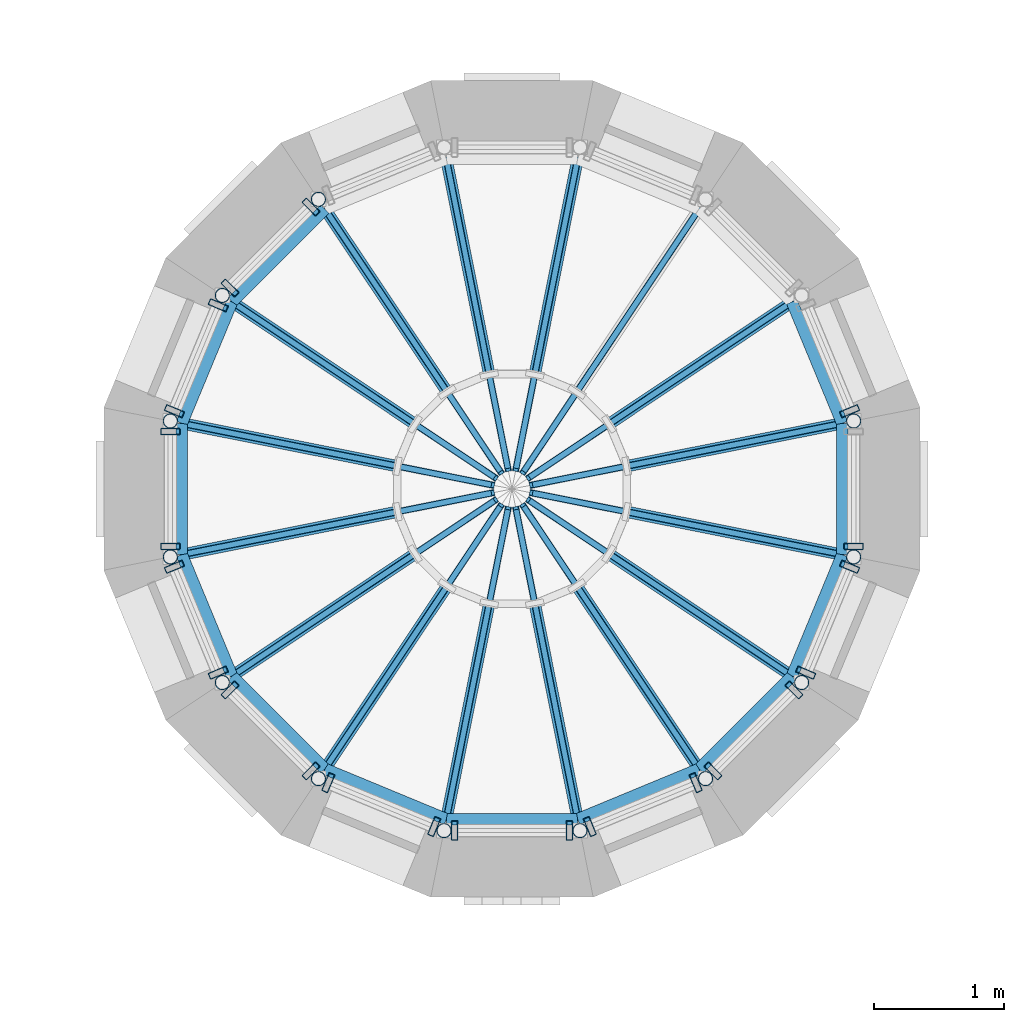
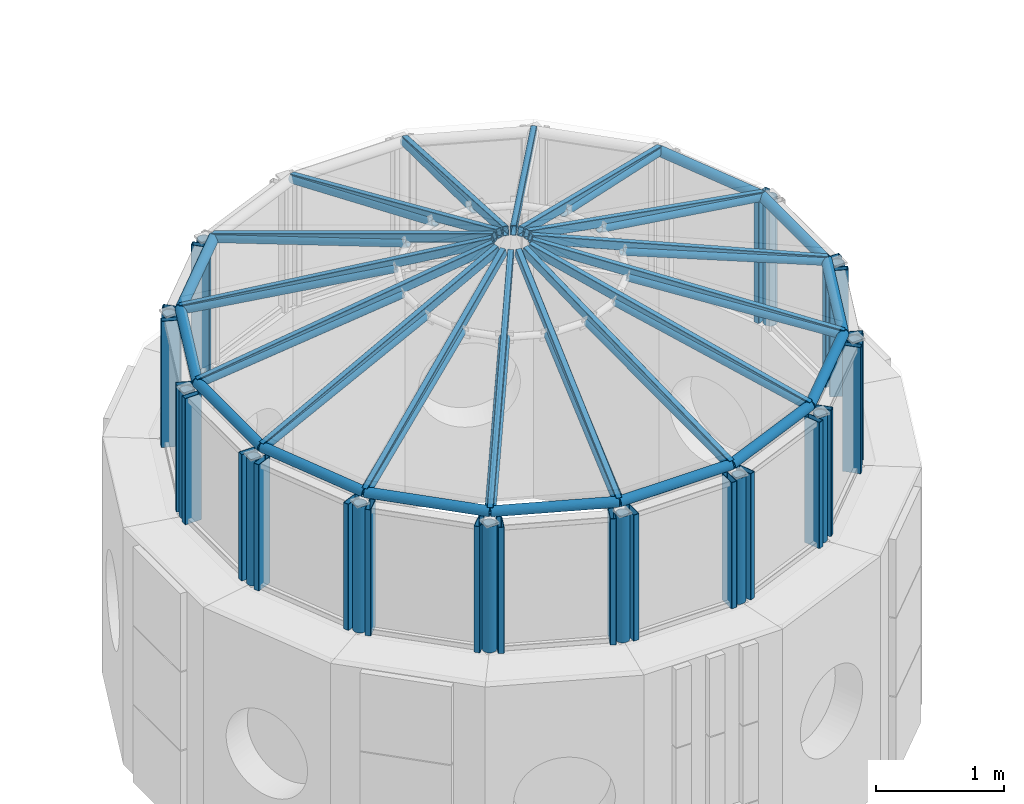
# One storey, part 4 of 42: 77 members, 12 elements without a shape of their own.
"""IFC4 building model written with IfcOpenShell, lengths in metres."""

from ifc_helpers import new_model, si_unit, direction, frame, origin, origin_2d, place, context, subcontext, project, spatial, hollow_rectangle, hollow_circle, extrude, material, material_profile, profile_set, type_object, element, aggregate, save


model = new_model("IFC4")

# Units and contexts
model_context = context("Model", 3, precision=1e-05, world=origin(), true_north=direction((0.0, 1.0)))
body_context = subcontext(model_context, "Body", "Model", "MODEL_VIEW")
ifc_project = project(units=[si_unit("LENGTHUNIT", "METRE"), si_unit("AREAUNIT", "SQUARE_METRE"), si_unit("VOLUMEUNIT", "CUBIC_METRE"), si_unit("PLANEANGLEUNIT", "RADIAN"), si_unit("MASSUNIT", "GRAM", prefix="KILO")], contexts=[model_context])

# Site, building, storey
site_placement = place(None, origin())
site = spatial("IfcSite", under=ifc_project, at=site_placement, CompositionType="ELEMENT")
building_placement = place(site_placement, origin())
building = spatial("IfcBuilding", under=site, at=building_placement, Name="Sun Court Science Centre", CompositionType="ELEMENT")
storey_placement = place(building_placement, frame((0.0, 0.0, 20.25)))
storey = spatial("IfcBuildingStorey", under=building, at=storey_placement, Name="L04", CompositionType="ELEMENT", Elevation=20.25)

# Curtain wall, member
ifc_material_1 = material(Name="Aluminium EN AW-6063 T6", Category="aluminium")
curtain_wall_type = type_object("IfcCurtainWallType", Name="Lantern clerestory curtain wall 1500", PredefinedType="NOTDEFINED", material=ifc_material_1)
curtain_wall_1_placement = place(storey_placement, origin())
curtain_wall_1 = element("IfcCurtainWall", 1, at=curtain_wall_1_placement, inside=storey, type_object=curtain_wall_type, Name="Curtain wall V2 C5 clerestory L04 01", PredefinedType="NOTDEFINED")
ifc_material_2 = material(Name="Aluminium EN AW-6063 T6", Category="aluminium")
ifc_material_profile_1 = material_profile(ifc_material_2, hollow_rectangle(XDim=0.050048828125, YDim=0.14990234375, WallThickness=0.00390625, InnerFilletRadius=0.00390625, OuterFilletRadius=0.006103515625, at=origin_2d()), Name="AL 50x150x4")
ifc_profile_set_1 = profile_set([ifc_material_profile_1], Name="Aluminium EN AW-6063 T6")
member_type_1 = type_object("IfcMemberType", Name="Curtain wall mullion AL 50x150", PredefinedType="MULLION", material=ifc_profile_set_1)
member_1_placement = place(storey_placement, frame((56.595458984375, 12.098388671875, 1.949951171875), z_axis=(0.0, 0.0, 1.0), x_axis=(0.382683432365, -0.923879532511, 0.0)))
member_1 = element("IfcMember", 2, at=member_1_placement, type_object=member_type_1, Name="CW4-65 mullion 2", PredefinedType="MULLION", context=body_context, shape_type="SweptSolid", body=[
    extrude(hollow_rectangle(XDim=0.050048828125, YDim=0.14990234375, WallThickness=0.00390625, InnerFilletRadius=0.00390625, OuterFilletRadius=0.006103515625, at=origin_2d()), origin(), (0.0, 0.0, 1.0), 1.199951171875),
])
aggregate(curtain_wall_1, [member_1])

# Curtain wall, members
curtain_wall_2_placement = place(storey_placement, origin())
curtain_wall_2 = element("IfcCurtainWall", 3, at=curtain_wall_2_placement, inside=storey, type_object=curtain_wall_type, Name="Curtain wall V2 C5 clerestory L04 06", PredefinedType="NOTDEFINED")
member_2_placement = place(storey_placement, frame((51.831298828125, 13.046142578125, 1.949951171875), z_axis=(0.0, 0.0, 1.0), x_axis=(0.707106781187, 0.707106781187, 0.0)))
member_2 = element("IfcMember", 4, at=member_2_placement, type_object=member_type_1, Name="CW4-70 mullion 1", PredefinedType="MULLION", context=body_context, shape_type="SweptSolid", body=[
    extrude(hollow_rectangle(XDim=0.050048828125, YDim=0.14990234375, WallThickness=0.00390625, InnerFilletRadius=0.00390625, OuterFilletRadius=0.006103515625, at=origin_2d()), origin(), (0.0, 0.0, 1.0), 1.199951171875),
])
member_3_placement = place(storey_placement, frame((52.453857421875, 13.668701171875, 1.949951171875), z_axis=(0.0, 0.0, 1.0), x_axis=(0.707106781187, 0.707106781187, 0.0)))
member_3 = element("IfcMember", 5, at=member_3_placement, type_object=member_type_1, Name="CW4-70 mullion 2", PredefinedType="MULLION", context=body_context, shape_type="SweptSolid", body=[
    extrude(hollow_rectangle(XDim=0.050048828125, YDim=0.14990234375, WallThickness=0.00390625, InnerFilletRadius=0.00390625, OuterFilletRadius=0.006103515625, at=origin_2d()), origin(), (0.0, 0.0, 1.0), 1.199951171875),
])
aggregate(curtain_wall_2, [member_2, member_3])

curtain_wall_3_placement = place(storey_placement, origin())
curtain_wall_3 = element("IfcCurtainWall", 6, at=curtain_wall_3_placement, inside=storey, type_object=curtain_wall_type, Name="Curtain wall V2 C5 clerestory L04 07", PredefinedType="NOTDEFINED")
member_4_placement = place(storey_placement, frame((51.404541015625, 12.098388671875, 1.949951171875), z_axis=(0.0, 0.0, 1.0), x_axis=(0.382683432365, 0.923879532511, 0.0)))
member_4 = element("IfcMember", 7, at=member_4_placement, type_object=member_type_1, Name="CW4-71 mullion 1", PredefinedType="MULLION", context=body_context, shape_type="SweptSolid", body=[
    extrude(hollow_rectangle(XDim=0.050048828125, YDim=0.14990234375, WallThickness=0.00390625, InnerFilletRadius=0.00390625, OuterFilletRadius=0.006103515625, at=origin_2d()), origin(), (0.0, 0.0, 1.0), 1.199951171875),
])
member_5_placement = place(storey_placement, frame((51.74169921875, 12.912109375, 1.949951171875), z_axis=(0.0, 0.0, 1.0), x_axis=(0.382683432365, 0.923879532511, 0.0)))
member_5 = element("IfcMember", 8, at=member_5_placement, type_object=member_type_1, Name="CW4-71 mullion 2", PredefinedType="MULLION", context=body_context, shape_type="SweptSolid", body=[
    extrude(hollow_rectangle(XDim=0.050048828125, YDim=0.14990234375, WallThickness=0.00390625, InnerFilletRadius=0.00390625, OuterFilletRadius=0.006103515625, at=origin_2d()), origin(), (0.0, 0.0, 1.0), 1.199951171875),
])
aggregate(curtain_wall_3, [member_4, member_5])

curtain_wall_4_placement = place(storey_placement, origin())
curtain_wall_4 = element("IfcCurtainWall", 9, at=curtain_wall_4_placement, inside=storey, type_object=curtain_wall_type, Name="Curtain wall V2 C5 clerestory L04 08", PredefinedType="NOTDEFINED")
member_6_placement = place(storey_placement, frame((51.373291015625, 11.0595703125, 1.949951171875), z_axis=(0.0, 0.0, 1.0), x_axis=(0.0, 1.0, 0.0)))
member_6 = element("IfcMember", 10, at=member_6_placement, type_object=member_type_1, Name="CW4-72 mullion 1", PredefinedType="MULLION", context=body_context, shape_type="SweptSolid", body=[
    extrude(hollow_rectangle(XDim=0.050048828125, YDim=0.14990234375, WallThickness=0.00390625, InnerFilletRadius=0.00390625, OuterFilletRadius=0.006103515625, at=origin_2d()), origin(), (0.0, 0.0, 1.0), 1.199951171875),
])
member_7_placement = place(storey_placement, frame((51.373291015625, 11.9404296875, 1.949951171875), z_axis=(0.0, 0.0, 1.0), x_axis=(0.0, 1.0, 0.0)))
member_7 = element("IfcMember", 11, at=member_7_placement, type_object=member_type_1, Name="CW4-72 mullion 2", PredefinedType="MULLION", context=body_context, shape_type="SweptSolid", body=[
    extrude(hollow_rectangle(XDim=0.050048828125, YDim=0.14990234375, WallThickness=0.00390625, InnerFilletRadius=0.00390625, OuterFilletRadius=0.006103515625, at=origin_2d()), origin(), (0.0, 0.0, 1.0), 1.199951171875),
])
aggregate(curtain_wall_4, [member_6, member_7])

curtain_wall_5_placement = place(storey_placement, origin())
curtain_wall_5 = element("IfcCurtainWall", 12, at=curtain_wall_5_placement, inside=storey, type_object=curtain_wall_type, Name="Curtain wall V2 C5 clerestory L04 09", PredefinedType="NOTDEFINED")
member_8_placement = place(storey_placement, frame((51.74169921875, 10.087890625, 1.949951171875), z_axis=(0.0, 0.0, 1.0), x_axis=(-0.382683432365, 0.923879532511, 0.0)))
member_8 = element("IfcMember", 13, at=member_8_placement, type_object=member_type_1, Name="CW4-73 mullion 1", PredefinedType="MULLION", context=body_context, shape_type="SweptSolid", body=[
    extrude(hollow_rectangle(XDim=0.050048828125, YDim=0.14990234375, WallThickness=0.00390625, InnerFilletRadius=0.00390625, OuterFilletRadius=0.006103515625, at=origin_2d()), origin(), (0.0, 0.0, 1.0), 1.199951171875),
])
member_9_placement = place(storey_placement, frame((51.404541015625, 10.901611328125, 1.949951171875), z_axis=(0.0, 0.0, 1.0), x_axis=(-0.382683432365, 0.923879532511, 0.0)))
member_9 = element("IfcMember", 14, at=member_9_placement, type_object=member_type_1, Name="CW4-73 mullion 2", PredefinedType="MULLION", context=body_context, shape_type="SweptSolid", body=[
    extrude(hollow_rectangle(XDim=0.050048828125, YDim=0.14990234375, WallThickness=0.00390625, InnerFilletRadius=0.00390625, OuterFilletRadius=0.006103515625, at=origin_2d()), origin(), (0.0, 0.0, 1.0), 1.199951171875),
])
aggregate(curtain_wall_5, [member_8, member_9])

curtain_wall_6_placement = place(storey_placement, origin())
curtain_wall_6 = element("IfcCurtainWall", 15, at=curtain_wall_6_placement, inside=storey, type_object=curtain_wall_type, Name="Curtain wall V2 C5 clerestory L04 10", PredefinedType="NOTDEFINED")
member_10_placement = place(storey_placement, frame((51.831298828125, 9.953857421875, 1.949951171875), z_axis=(0.0, 0.0, 1.0), x_axis=(-0.707106781187, 0.707106781187, 0.0)))
member_10 = element("IfcMember", 16, at=member_10_placement, type_object=member_type_1, Name="CW4-74 mullion 2", PredefinedType="MULLION", context=body_context, shape_type="SweptSolid", body=[
    extrude(hollow_rectangle(XDim=0.050048828125, YDim=0.14990234375, WallThickness=0.00390625, InnerFilletRadius=0.00390625, OuterFilletRadius=0.006103515625, at=origin_2d()), origin(), (0.0, 0.0, 1.0), 1.199951171875),
])
member_11_placement = place(storey_placement, frame((52.453857421875, 9.331298828125, 1.949951171875), z_axis=(0.0, 0.0, 1.0), x_axis=(-0.707106781187, 0.707106781187, 0.0)))
member_11 = element("IfcMember", 17, at=member_11_placement, type_object=member_type_1, Name="CW4-74 mullion 1", PredefinedType="MULLION", context=body_context, shape_type="SweptSolid", body=[
    extrude(hollow_rectangle(XDim=0.050048828125, YDim=0.14990234375, WallThickness=0.00390625, InnerFilletRadius=0.00390625, OuterFilletRadius=0.006103515625, at=origin_2d()), origin(), (0.0, 0.0, 1.0), 1.199951171875),
])
aggregate(curtain_wall_6, [member_10, member_11])

curtain_wall_7_placement = place(storey_placement, origin())
curtain_wall_7 = element("IfcCurtainWall", 18, at=curtain_wall_7_placement, inside=storey, type_object=curtain_wall_type, Name="Curtain wall V2 C5 clerestory L04 11", PredefinedType="NOTDEFINED")
member_12_placement = place(storey_placement, frame((52.587890625, 9.24169921875, 1.949951171875), z_axis=(0.0, 0.0, 1.0), x_axis=(-0.923879532511, 0.382683432365, 0.0)))
member_12 = element("IfcMember", 19, at=member_12_placement, type_object=member_type_1, Name="CW4-75 mullion 2", PredefinedType="MULLION", context=body_context, shape_type="SweptSolid", body=[
    extrude(hollow_rectangle(XDim=0.050048828125, YDim=0.14990234375, WallThickness=0.00390625, InnerFilletRadius=0.00390625, OuterFilletRadius=0.006103515625, at=origin_2d()), origin(), (0.0, 0.0, 1.0), 1.199951171875),
])
member_13_placement = place(storey_placement, frame((53.401611328125, 8.904541015625, 1.949951171875), z_axis=(0.0, 0.0, 1.0), x_axis=(-0.923879532511, 0.382683432365, 0.0)))
member_13 = element("IfcMember", 20, at=member_13_placement, type_object=member_type_1, Name="CW4-75 mullion 1", PredefinedType="MULLION", context=body_context, shape_type="SweptSolid", body=[
    extrude(hollow_rectangle(XDim=0.050048828125, YDim=0.14990234375, WallThickness=0.00390625, InnerFilletRadius=0.00390625, OuterFilletRadius=0.006103515625, at=origin_2d()), origin(), (0.0, 0.0, 1.0), 1.199951171875),
])
aggregate(curtain_wall_7, [member_12, member_13])

curtain_wall_8_placement = place(storey_placement, origin())
curtain_wall_8 = element("IfcCurtainWall", 21, at=curtain_wall_8_placement, inside=storey, type_object=curtain_wall_type, Name="Curtain wall V2 C5 clerestory L04 12", PredefinedType="NOTDEFINED")
member_14_placement = place(storey_placement, frame((53.5595703125, 8.873291015625, 1.949951171875), z_axis=(0.0, 0.0, 1.0), x_axis=(-1.0, 0.0, 0.0)))
member_14 = element("IfcMember", 22, at=member_14_placement, type_object=member_type_1, Name="CW4-76 mullion 2", PredefinedType="MULLION", context=body_context, shape_type="SweptSolid", body=[
    extrude(hollow_rectangle(XDim=0.050048828125, YDim=0.14990234375, WallThickness=0.00390625, InnerFilletRadius=0.00390625, OuterFilletRadius=0.006103515625, at=origin_2d()), origin(), (0.0, 0.0, 1.0), 1.199951171875),
])
member_15_placement = place(storey_placement, frame((54.4404296875, 8.873291015625, 1.949951171875), z_axis=(0.0, 0.0, 1.0), x_axis=(-1.0, 0.0, 0.0)))
member_15 = element("IfcMember", 23, at=member_15_placement, type_object=member_type_1, Name="CW4-76 mullion 1", PredefinedType="MULLION", context=body_context, shape_type="SweptSolid", body=[
    extrude(hollow_rectangle(XDim=0.050048828125, YDim=0.14990234375, WallThickness=0.00390625, InnerFilletRadius=0.00390625, OuterFilletRadius=0.006103515625, at=origin_2d()), origin(), (0.0, 0.0, 1.0), 1.199951171875),
])
aggregate(curtain_wall_8, [member_14, member_15])

curtain_wall_9_placement = place(storey_placement, origin())
curtain_wall_9 = element("IfcCurtainWall", 24, at=curtain_wall_9_placement, inside=storey, type_object=curtain_wall_type, Name="Curtain wall V2 C5 clerestory L04 13", PredefinedType="NOTDEFINED")
member_16_placement = place(storey_placement, frame((54.598388671875, 8.904541015625, 1.949951171875), z_axis=(0.0, 0.0, 1.0), x_axis=(-0.923879532511, -0.382683432365, 0.0)))
member_16 = element("IfcMember", 25, at=member_16_placement, type_object=member_type_1, Name="CW4-77 mullion 2", PredefinedType="MULLION", context=body_context, shape_type="SweptSolid", body=[
    extrude(hollow_rectangle(XDim=0.050048828125, YDim=0.14990234375, WallThickness=0.00390625, InnerFilletRadius=0.00390625, OuterFilletRadius=0.006103515625, at=origin_2d()), origin(), (0.0, 0.0, 1.0), 1.199951171875),
])
member_17_placement = place(storey_placement, frame((55.412109375, 9.24169921875, 1.949951171875), z_axis=(0.0, 0.0, 1.0), x_axis=(-0.923879532511, -0.382683432365, 0.0)))
member_17 = element("IfcMember", 26, at=member_17_placement, type_object=member_type_1, Name="CW4-77 mullion 1", PredefinedType="MULLION", context=body_context, shape_type="SweptSolid", body=[
    extrude(hollow_rectangle(XDim=0.050048828125, YDim=0.14990234375, WallThickness=0.00390625, InnerFilletRadius=0.00390625, OuterFilletRadius=0.006103515625, at=origin_2d()), origin(), (0.0, 0.0, 1.0), 1.199951171875),
])
aggregate(curtain_wall_9, [member_16, member_17])

curtain_wall_10_placement = place(storey_placement, origin())
curtain_wall_10 = element("IfcCurtainWall", 27, at=curtain_wall_10_placement, inside=storey, type_object=curtain_wall_type, Name="Curtain wall V2 C5 clerestory L04 14", PredefinedType="NOTDEFINED")
member_18_placement = place(storey_placement, frame((55.546142578125, 9.331298828125, 1.949951171875), z_axis=(0.0, 0.0, 1.0), x_axis=(-0.707106781187, -0.707106781187, 0.0)))
member_18 = element("IfcMember", 28, at=member_18_placement, type_object=member_type_1, Name="CW4-78 mullion 2", PredefinedType="MULLION", context=body_context, shape_type="SweptSolid", body=[
    extrude(hollow_rectangle(XDim=0.050048828125, YDim=0.14990234375, WallThickness=0.00390625, InnerFilletRadius=0.00390625, OuterFilletRadius=0.006103515625, at=origin_2d()), origin(), (0.0, 0.0, 1.0), 1.199951171875),
])
member_19_placement = place(storey_placement, frame((56.168701171875, 9.953857421875, 1.949951171875), z_axis=(0.0, 0.0, 1.0), x_axis=(-0.707106781187, -0.707106781187, 0.0)))
member_19 = element("IfcMember", 29, at=member_19_placement, type_object=member_type_1, Name="CW4-78 mullion 1", PredefinedType="MULLION", context=body_context, shape_type="SweptSolid", body=[
    extrude(hollow_rectangle(XDim=0.050048828125, YDim=0.14990234375, WallThickness=0.00390625, InnerFilletRadius=0.00390625, OuterFilletRadius=0.006103515625, at=origin_2d()), origin(), (0.0, 0.0, 1.0), 1.199951171875),
])
aggregate(curtain_wall_10, [member_18, member_19])

curtain_wall_11_placement = place(storey_placement, origin())
curtain_wall_11 = element("IfcCurtainWall", 30, at=curtain_wall_11_placement, inside=storey, type_object=curtain_wall_type, Name="Curtain wall V2 C5 clerestory L04 15", PredefinedType="NOTDEFINED")
member_20_placement = place(storey_placement, frame((56.25830078125, 10.087890625, 1.949951171875), z_axis=(0.0, 0.0, 1.0), x_axis=(-0.382683432365, -0.923879532511, 0.0)))
member_20 = element("IfcMember", 31, at=member_20_placement, type_object=member_type_1, Name="CW4-79 mullion 2", PredefinedType="MULLION", context=body_context, shape_type="SweptSolid", body=[
    extrude(hollow_rectangle(XDim=0.050048828125, YDim=0.14990234375, WallThickness=0.00390625, InnerFilletRadius=0.00390625, OuterFilletRadius=0.006103515625, at=origin_2d()), origin(), (0.0, 0.0, 1.0), 1.199951171875),
])
member_21_placement = place(storey_placement, frame((56.595458984375, 10.901611328125, 1.949951171875), z_axis=(0.0, 0.0, 1.0), x_axis=(-0.382683432365, -0.923879532511, 0.0)))
member_21 = element("IfcMember", 32, at=member_21_placement, type_object=member_type_1, Name="CW4-79 mullion 1", PredefinedType="MULLION", context=body_context, shape_type="SweptSolid", body=[
    extrude(hollow_rectangle(XDim=0.050048828125, YDim=0.14990234375, WallThickness=0.00390625, InnerFilletRadius=0.00390625, OuterFilletRadius=0.006103515625, at=origin_2d()), origin(), (0.0, 0.0, 1.0), 1.199951171875),
])
aggregate(curtain_wall_11, [member_20, member_21])

# Curtain wall, member
curtain_wall_12_placement = place(storey_placement, origin())
curtain_wall_12 = element("IfcCurtainWall", 33, at=curtain_wall_12_placement, inside=storey, type_object=curtain_wall_type, Name="Curtain wall V2 C5 clerestory L04 16", PredefinedType="NOTDEFINED")
member_22_placement = place(storey_placement, frame((56.626708984375, 11.0595703125, 1.949951171875), z_axis=(0.0, 0.0, 1.0), x_axis=(0.0, -1.0, 0.0)))
member_22 = element("IfcMember", 34, at=member_22_placement, type_object=member_type_1, Name="CW4-80 mullion 2", PredefinedType="MULLION", context=body_context, shape_type="SweptSolid", body=[
    extrude(hollow_rectangle(XDim=0.050048828125, YDim=0.14990234375, WallThickness=0.00390625, InnerFilletRadius=0.00390625, OuterFilletRadius=0.006103515625, at=origin_2d()), origin(), (0.0, 0.0, 1.0), 1.199951171875),
])
aggregate(curtain_wall_12, [member_22])

# Members
ifc_material_3 = material(Name="Aluminium EN AW-6063 T6", Category="aluminium")
ifc_material_profile_2 = material_profile(ifc_material_3, hollow_rectangle(XDim=0.050048828125, YDim=0.080078125, WallThickness=0.00390625, InnerFilletRadius=0.00390625, OuterFilletRadius=0.006103515625, at=origin_2d()), Name="AL 50x80x4")
ifc_profile_set_2 = profile_set([ifc_material_profile_2], Name="Aluminium EN AW-6063 T6")
member_type_2 = type_object("IfcMemberType", Name="Glazing bar AL 50x80", PredefinedType="USERDEFINED", material=ifc_profile_set_2)
for number, where, z_axis, x_axis, name in (
    (35, (56.53857421875, 12.0048828125, 3.199951171875), (-0.936993934875, -0.186346522219, 0.295495075531), (0.195056933389, -0.980791921223, 0.0), "Lantern glazing bar cone 5 01"),
    (36, (56.152099609375, 12.93798828125, 3.199951171875), (-0.794323933072, -0.53079281125, 0.295480085412), (0.55560100788, -0.831449048375, 0.0), "Lantern glazing bar cone 5 02"),
    (37, (55.43798828125, 13.652099609375, 3.199951171875), (-0.53079281125, -0.794323933072, 0.295480085412), (0.831449048375, -0.55560100788, 0.0), "Lantern glazing bar cone 5 03"),
    (38, (54.5048828125, 14.03857421875, 3.199951171875), (-0.186346522219, -0.936993934875, 0.295495075531), (0.980791921223, -0.195056933389, 0.0), "Lantern glazing bar cone 5 04"),
    (39, (53.4951171875, 14.03857421875, 3.199951171875), (0.186346522219, -0.936993934875, 0.295495075531), (0.980791921223, 0.195056933389, 0.0), "Lantern glazing bar cone 5 05"),
    (40, (52.56201171875, 13.652099609375, 3.199951171875), (0.53079281125, -0.794323933072, 0.295480085412), (0.831449048375, 0.55560100788, 0.0), "Lantern glazing bar cone 5 06"),
    (41, (51.847900390625, 12.93798828125, 3.199951171875), (0.794323933072, -0.53079281125, 0.295480085412), (0.55560100788, 0.831449048375, 0.0), "Lantern glazing bar cone 5 07"),
    (42, (51.46142578125, 12.0048828125, 3.199951171875), (0.936993934875, -0.186346522219, 0.295495075531), (0.195056933389, 0.980791921223, 0.0), "Lantern glazing bar cone 5 08"),
    (43, (51.46142578125, 10.9951171875, 3.199951171875), (0.936993934875, 0.186346522219, 0.295495075531), (-0.195056933389, 0.980791921223, 0.0), "Lantern glazing bar cone 5 09"),
    (44, (51.847900390625, 10.06201171875, 3.199951171875), (0.794323933072, 0.53079281125, 0.295480085412), (-0.55560100788, 0.831449048375, 0.0), "Lantern glazing bar cone 5 10"),
    (45, (52.56201171875, 9.347900390625, 3.199951171875), (0.53079281125, 0.794323933072, 0.295480085412), (-0.831449048375, 0.55560100788, 0.0), "Lantern glazing bar cone 5 11"),
    (46, (53.4951171875, 8.96142578125, 3.199951171875), (0.186346522219, 0.936993934875, 0.295495075531), (-0.980791921223, 0.195056933389, 0.0), "Lantern glazing bar cone 5 12"),
    (47, (54.5048828125, 8.96142578125, 3.199951171875), (-0.186346522219, 0.936993934875, 0.295495075531), (-0.980791921223, -0.195056933389, 0.0), "Lantern glazing bar cone 5 13"),
    (48, (55.43798828125, 9.347900390625, 3.199951171875), (-0.53079281125, 0.794323933072, 0.295480085412), (-0.831449048375, -0.55560100788, 0.0), "Lantern glazing bar cone 5 14"),
    (49, (56.152099609375, 10.06201171875, 3.199951171875), (-0.794323933072, 0.53079281125, 0.295480085412), (-0.55560100788, -0.831449048375, 0.0), "Lantern glazing bar cone 5 15"),
    (50, (56.53857421875, 10.9951171875, 3.199951171875), (-0.936993934875, 0.186346522219, 0.295495075531), (-0.195056933389, -0.980791921223, 0.0), "Lantern glazing bar cone 5 16"),
):
    element("IfcMember", number, at=place(storey_placement, frame(where, z_axis=z_axis, x_axis=x_axis)), inside=storey, type_object=member_type_2, Name=name, ObjectType="Glazing bar", PredefinedType="USERDEFINED", context=body_context, shape_type="SweptSolid", body=[
        extrude(hollow_rectangle(XDim=0.050048828125, YDim=0.080078125, WallThickness=0.00390625, InnerFilletRadius=0.00390625, OuterFilletRadius=0.006103515625, at=origin_2d()), origin(), (0.0, 0.0, 1.0), 2.55224609375),
    ])
ifc_material_4 = material(Name="Steel S355", Category="steel")
ifc_material_profile_3 = material_profile(ifc_material_4, hollow_circle(Radius=0.04443359375, WallThickness=0.0048828125, at=origin_2d()), Name="CHS 88.9x5")
ifc_profile_set_3 = profile_set([ifc_material_profile_3], Name="Steel S355")
member_type_3 = type_object("IfcMemberType", Name="Lantern base ring CHS 88.9x5", PredefinedType="CHORD", material=ifc_profile_set_3)
for number, where, z_axis, x_axis, name in (
    (51, (56.53857421875, 12.0048828125, 3.1943359375), (-0.38265779885, 0.923890149844, 0.0), (-0.923890149844, -0.38265779885, 0.0), "Cone 5 lantern base ring 1"),
    (52, (52.56201171875, 13.652099609375, 3.1943359375), (-0.707106781187, -0.707106781187, 0.0), (0.707106781187, -0.707106781187, 0.0), "Cone 5 lantern base ring 6"),
    (53, (51.847900390625, 12.93798828125, 3.1943359375), (-0.38265779885, -0.923890149844, 0.0), (0.923890149844, -0.38265779885, 0.0), "Cone 5 lantern base ring 7"),
):
    element("IfcMember", number, at=place(storey_placement, frame(where, z_axis=z_axis, x_axis=x_axis)), inside=storey, type_object=member_type_3, Name=name, PredefinedType="CHORD", context=body_context, shape_type="SweptSolid", body=[
        extrude(hollow_circle(Radius=0.04443359375, WallThickness=0.0048828125, at=origin_2d()), origin(), (0.0, 0.0, 1.0), 1.010009765625),
    ])
member_23_placement = place(storey_placement, frame((51.46142578125, 12.0048828125, 3.1943359375), z_axis=(0.0, -1.0, 0.0), x_axis=(1.0, 0.0, 0.0)))
element("IfcMember", 54, at=member_23_placement, inside=storey, type_object=member_type_3, Name="Cone 5 lantern base ring 8", PredefinedType="CHORD", context=body_context, shape_type="SweptSolid", body=[
    extrude(hollow_circle(Radius=0.04443359375, WallThickness=0.0048828125, at=origin_2d()), origin(), (0.0, 0.0, 1.0), 1.009765625),
])
for number, where, z_axis, x_axis, name in (
    (55, (51.46142578125, 10.9951171875, 3.1943359375), (0.38265779885, -0.923890149844, 0.0), (0.923890149844, 0.38265779885, 0.0), "Cone 5 lantern base ring 9"),
    (56, (51.847900390625, 10.06201171875, 3.1943359375), (0.707106781187, -0.707106781187, 0.0), (0.707106781187, 0.707106781187, 0.0), "Cone 5 lantern base ring 10"),
    (57, (52.56201171875, 9.347900390625, 3.1943359375), (0.923890149844, -0.38265779885, 0.0), (0.38265779885, 0.923890149844, 0.0), "Cone 5 lantern base ring 11"),
):
    element("IfcMember", number, at=place(storey_placement, frame(where, z_axis=z_axis, x_axis=x_axis)), inside=storey, type_object=member_type_3, Name=name, PredefinedType="CHORD", context=body_context, shape_type="SweptSolid", body=[
        extrude(hollow_circle(Radius=0.04443359375, WallThickness=0.0048828125, at=origin_2d()), origin(), (0.0, 0.0, 1.0), 1.010009765625),
    ])
member_24_placement = place(storey_placement, frame((53.4951171875, 8.96142578125, 3.1943359375), z_axis=(1.0, 0.0, 0.0), x_axis=(0.0, 1.0, 0.0)))
element("IfcMember", 58, at=member_24_placement, inside=storey, type_object=member_type_3, Name="Cone 5 lantern base ring 12", PredefinedType="CHORD", context=body_context, shape_type="SweptSolid", body=[
    extrude(hollow_circle(Radius=0.04443359375, WallThickness=0.0048828125, at=origin_2d()), origin(), (0.0, 0.0, 1.0), 1.009765625),
])
for number, where, z_axis, x_axis, name in (
    (59, (54.5048828125, 8.96142578125, 3.1943359375), (0.923890149844, 0.38265779885, 0.0), (-0.38265779885, 0.923890149844, 0.0), "Cone 5 lantern base ring 13"),
    (60, (55.43798828125, 9.347900390625, 3.1943359375), (0.707106781187, 0.707106781187, 0.0), (-0.707106781187, 0.707106781187, 0.0), "Cone 5 lantern base ring 14"),
    (61, (56.152099609375, 10.06201171875, 3.1943359375), (0.38265779885, 0.923890149844, 0.0), (-0.923890149844, 0.38265779885, 0.0), "Cone 5 lantern base ring 15"),
):
    element("IfcMember", number, at=place(storey_placement, frame(where, z_axis=z_axis, x_axis=x_axis)), inside=storey, type_object=member_type_3, Name=name, PredefinedType="CHORD", context=body_context, shape_type="SweptSolid", body=[
        extrude(hollow_circle(Radius=0.04443359375, WallThickness=0.0048828125, at=origin_2d()), origin(), (0.0, 0.0, 1.0), 1.010009765625),
    ])
member_25_placement = place(storey_placement, frame((56.53857421875, 10.9951171875, 3.1943359375), z_axis=(0.0, 1.0, 0.0), x_axis=(-1.0, 0.0, 0.0)))
element("IfcMember", 62, at=member_25_placement, inside=storey, type_object=member_type_3, Name="Cone 5 lantern base ring 16", PredefinedType="CHORD", context=body_context, shape_type="SweptSolid", body=[
    extrude(hollow_circle(Radius=0.04443359375, WallThickness=0.0048828125, at=origin_2d()), origin(), (0.0, 0.0, 1.0), 1.009765625),
])
ifc_material_5 = material(Name="Steel S355", Category="steel")
ifc_material_profile_4 = material_profile(ifc_material_5, hollow_circle(Radius=0.05712890625, WallThickness=0.00634765625, at=origin_2d()), Name="CHS 114.3x6.3")
ifc_profile_set_4 = profile_set([ifc_material_profile_4], Name="Steel S355")
member_type_4 = type_object("IfcMemberType", Name="Lantern post CHS 114.3x6.3", PredefinedType="POST", material=ifc_profile_set_4)
for number, where, z_axis, x_axis, name in (
    (63, (56.626708984375, 12.0224609375, 1.949951171875), (0.0, 0.0, 1.0), (1.0, 0.0, 0.0), "Cone 5 clerestory post 1"),
    (64, (52.511962890625, 13.726806640625, 1.949951171875), (0.0, 0.0, 1.0), (1.0, 0.0, 0.0), "Cone 5 clerestory post 6"),
    (65, (51.773193359375, 12.988037109375, 1.949951171875), (0.0, 0.0, 1.0), (1.0, 0.0, 0.0), "Cone 5 clerestory post 7"),
    (66, (51.373291015625, 12.0224609375, 1.949951171875), (0.0, 0.0, 1.0), (1.0, 0.0, 0.0), "Cone 5 clerestory post 8"),
    (67, (51.373291015625, 10.9775390625, 1.949951171875), (0.0, 0.0, 1.0), (1.0, 0.0, 0.0), "Cone 5 clerestory post 9"),
    (68, (51.773193359375, 10.011962890625, 1.949951171875), (0.0, 0.0, 1.0), (1.0, 0.0, 0.0), "Cone 5 clerestory post 10"),
    (69, (52.511962890625, 9.273193359375, 1.949951171875), (0.0, 0.0, 1.0), (1.0, 0.0, 0.0), "Cone 5 clerestory post 11"),
    (70, (53.4775390625, 8.873291015625, 1.949951171875), (0.0, 0.0, 1.0), (1.0, 0.0, 0.0), "Cone 5 clerestory post 12"),
    (71, (54.5224609375, 8.873291015625, 1.949951171875), (0.0, 0.0, 1.0), (1.0, 0.0, 0.0), "Cone 5 clerestory post 13"),
    (72, (55.488037109375, 9.273193359375, 1.949951171875), (0.0, 0.0, 1.0), (1.0, 0.0, 0.0), "Cone 5 clerestory post 14"),
    (73, (56.226806640625, 10.011962890625, 1.949951171875), (0.0, 0.0, 1.0), (1.0, 0.0, 0.0), "Cone 5 clerestory post 15"),
    (74, (56.626708984375, 10.9775390625, 1.949951171875), (0.0, 0.0, 1.0), (1.0, 0.0, 0.0), "Cone 5 clerestory post 16"),
):
    element("IfcMember", number, at=place(storey_placement, frame(where, z_axis=z_axis, x_axis=x_axis)), inside=storey, type_object=member_type_4, Name=name, PredefinedType="POST", context=body_context, shape_type="SweptSolid", body=[
        extrude(hollow_circle(Radius=0.05712890625, WallThickness=0.00634765625, at=origin_2d()), origin(), (0.0, 0.0, 1.0), 1.199951171875),
    ])
ifc_material_6 = material(Name="Steel S355", Category="steel")
ifc_material_profile_5 = material_profile(ifc_material_6, hollow_circle(Radius=0.04443359375, WallThickness=0.0048828125, at=origin_2d()), Name="CHS 88.9x5")
ifc_profile_set_5 = profile_set([ifc_material_profile_5], Name="Steel S355")
member_type_5 = type_object("IfcMemberType", Name="Lantern rafter CHS 88.9x5", PredefinedType="RAFTER", material=ifc_profile_set_5)
member_26_placement = place(storey_placement, frame((56.53857421875, 12.0048828125, 3.1943359375), z_axis=(-0.943719465291, -0.187714178513, 0.272317751928), x_axis=(0.195087028461, -0.980785935526, 0.0)))
element("IfcMember", 75, at=member_26_placement, inside=storey, type_object=member_type_5, Name="Cone 5 lantern rafter 1", PredefinedType="RAFTER", context=body_context, shape_type="SweptSolid", body=[
    extrude(hollow_circle(Radius=0.04443359375, WallThickness=0.0048828125, at=origin_2d()), origin(), (0.0, 0.0, 1.0), 1.75439453125),
])
member_27_placement = place(storey_placement, frame((56.152099609375, 12.93798828125, 3.1943359375), z_axis=(-0.800052991942, -0.534574538268, 0.272296296562), x_axis=(0.555567517012, -0.831471427074, 0.0)))
element("IfcMember", 76, at=member_27_placement, inside=storey, type_object=member_type_5, Name="Cone 5 lantern rafter 2", PredefinedType="RAFTER", context=body_context, shape_type="SweptSolid", body=[
    extrude(hollow_circle(Radius=0.04443359375, WallThickness=0.0048828125, at=origin_2d()), origin(), (0.0, 0.0, 1.0), 1.754638671875),
])
for number, where, z_axis, x_axis, name in (
    (77, (54.5048828125, 14.03857421875, 3.1943359375), (-0.187714178513, -0.943719465291, 0.272317751928), (0.980785935526, -0.195087028461, 0.0), "Cone 5 lantern rafter 4"),
    (78, (53.4951171875, 14.03857421875, 3.1943359375), (0.187714178513, -0.943719465291, 0.272317751928), (0.980785935526, 0.195087028461, 0.0), "Cone 5 lantern rafter 5"),
):
    element("IfcMember", number, at=place(storey_placement, frame(where, z_axis=z_axis, x_axis=x_axis)), inside=storey, type_object=member_type_5, Name=name, PredefinedType="RAFTER", context=body_context, shape_type="SweptSolid", body=[
        extrude(hollow_circle(Radius=0.04443359375, WallThickness=0.0048828125, at=origin_2d()), origin(), (0.0, 0.0, 1.0), 1.75439453125),
    ])
for number, where, z_axis, x_axis, name in (
    (79, (52.56201171875, 13.652099609375, 3.1943359375), (0.534574538268, -0.800052991942, 0.272296296562), (0.831471427074, 0.555567517012, 0.0), "Cone 5 lantern rafter 6"),
    (80, (51.847900390625, 12.93798828125, 3.1943359375), (0.800052991942, -0.534574538268, 0.272296296562), (0.555567517012, 0.831471427074, 0.0), "Cone 5 lantern rafter 7"),
):
    element("IfcMember", number, at=place(storey_placement, frame(where, z_axis=z_axis, x_axis=x_axis)), inside=storey, type_object=member_type_5, Name=name, PredefinedType="RAFTER", context=body_context, shape_type="SweptSolid", body=[
        extrude(hollow_circle(Radius=0.04443359375, WallThickness=0.0048828125, at=origin_2d()), origin(), (0.0, 0.0, 1.0), 1.754638671875),
    ])
for number, where, z_axis, x_axis, name in (
    (81, (51.46142578125, 12.0048828125, 3.1943359375), (0.943719465291, -0.187714178513, 0.272317751928), (0.195087028461, 0.980785935526, 0.0), "Cone 5 lantern rafter 8"),
    (82, (51.46142578125, 10.9951171875, 3.1943359375), (0.943719465291, 0.187714178513, 0.272317751928), (-0.195087028461, 0.980785935526, 0.0), "Cone 5 lantern rafter 9"),
):
    element("IfcMember", number, at=place(storey_placement, frame(where, z_axis=z_axis, x_axis=x_axis)), inside=storey, type_object=member_type_5, Name=name, PredefinedType="RAFTER", context=body_context, shape_type="SweptSolid", body=[
        extrude(hollow_circle(Radius=0.04443359375, WallThickness=0.0048828125, at=origin_2d()), origin(), (0.0, 0.0, 1.0), 1.75439453125),
    ])
for number, where, z_axis, x_axis, name in (
    (83, (51.847900390625, 10.06201171875, 3.1943359375), (0.800052991942, 0.534574538268, 0.272296296562), (-0.555567517012, 0.831471427074, 0.0), "Cone 5 lantern rafter 10"),
    (84, (52.56201171875, 9.347900390625, 3.1943359375), (0.534574538268, 0.800052991942, 0.272296296562), (-0.831471427074, 0.555567517012, 0.0), "Cone 5 lantern rafter 11"),
):
    element("IfcMember", number, at=place(storey_placement, frame(where, z_axis=z_axis, x_axis=x_axis)), inside=storey, type_object=member_type_5, Name=name, PredefinedType="RAFTER", context=body_context, shape_type="SweptSolid", body=[
        extrude(hollow_circle(Radius=0.04443359375, WallThickness=0.0048828125, at=origin_2d()), origin(), (0.0, 0.0, 1.0), 1.754638671875),
    ])
for number, where, z_axis, x_axis, name in (
    (85, (53.4951171875, 8.96142578125, 3.1943359375), (0.187714178513, 0.943719465291, 0.272317751928), (-0.980785935526, 0.195087028461, 0.0), "Cone 5 lantern rafter 12"),
    (86, (54.5048828125, 8.96142578125, 3.1943359375), (-0.187714178513, 0.943719465291, 0.272317751928), (-0.980785935526, -0.195087028461, 0.0), "Cone 5 lantern rafter 13"),
):
    element("IfcMember", number, at=place(storey_placement, frame(where, z_axis=z_axis, x_axis=x_axis)), inside=storey, type_object=member_type_5, Name=name, PredefinedType="RAFTER", context=body_context, shape_type="SweptSolid", body=[
        extrude(hollow_circle(Radius=0.04443359375, WallThickness=0.0048828125, at=origin_2d()), origin(), (0.0, 0.0, 1.0), 1.75439453125),
    ])
for number, where, z_axis, x_axis, name in (
    (87, (55.43798828125, 9.347900390625, 3.1943359375), (-0.534574538268, 0.800052991942, 0.272296296562), (-0.831471427074, -0.555567517012, 0.0), "Cone 5 lantern rafter 14"),
    (88, (56.152099609375, 10.06201171875, 3.1943359375), (-0.800052991942, 0.534574538268, 0.272296296562), (-0.555567517012, -0.831471427074, 0.0), "Cone 5 lantern rafter 15"),
):
    element("IfcMember", number, at=place(storey_placement, frame(where, z_axis=z_axis, x_axis=x_axis)), inside=storey, type_object=member_type_5, Name=name, PredefinedType="RAFTER", context=body_context, shape_type="SweptSolid", body=[
        extrude(hollow_circle(Radius=0.04443359375, WallThickness=0.0048828125, at=origin_2d()), origin(), (0.0, 0.0, 1.0), 1.754638671875),
    ])
member_28_placement = place(storey_placement, frame((56.53857421875, 10.9951171875, 3.1943359375), z_axis=(-0.943719465291, 0.187714178513, 0.272317751928), x_axis=(-0.195087028461, -0.980785935526, 0.0)))
element("IfcMember", 89, at=member_28_placement, inside=storey, type_object=member_type_5, Name="Cone 5 lantern rafter 16", PredefinedType="RAFTER", context=body_context, shape_type="SweptSolid", body=[
    extrude(hollow_circle(Radius=0.04443359375, WallThickness=0.0048828125, at=origin_2d()), origin(), (0.0, 0.0, 1.0), 1.75439453125),
])

save(model, "model.ifc")
